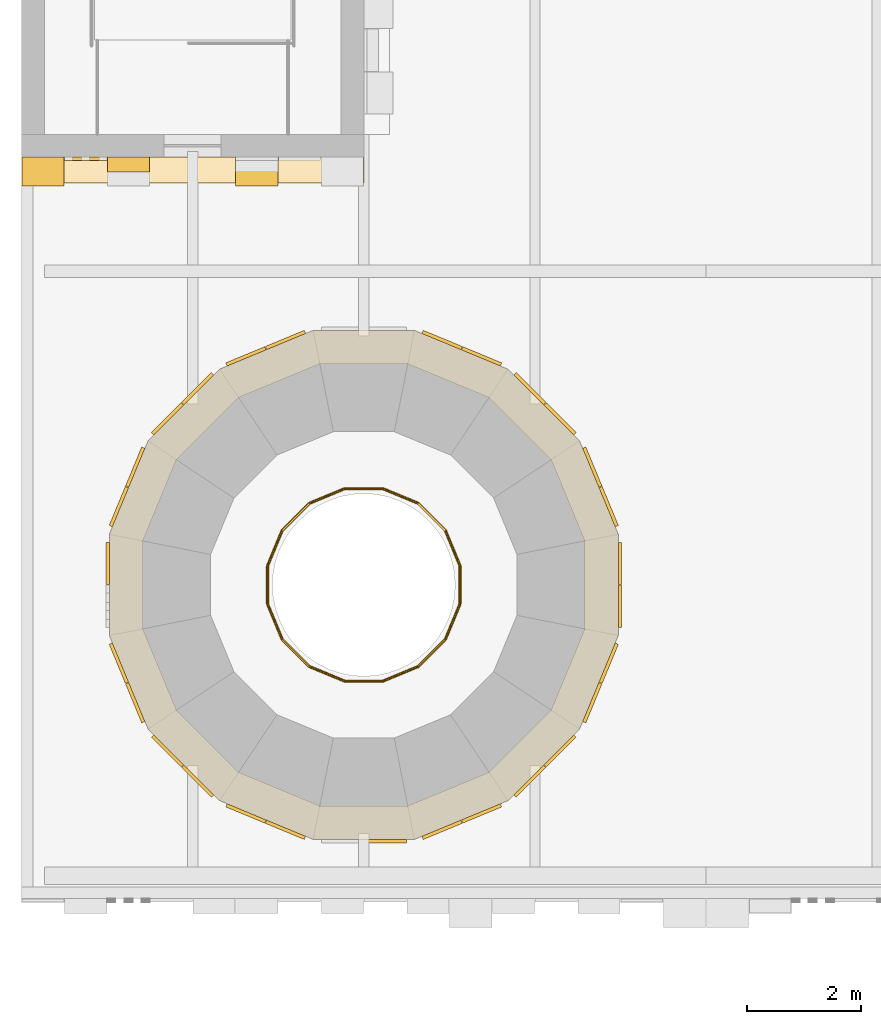
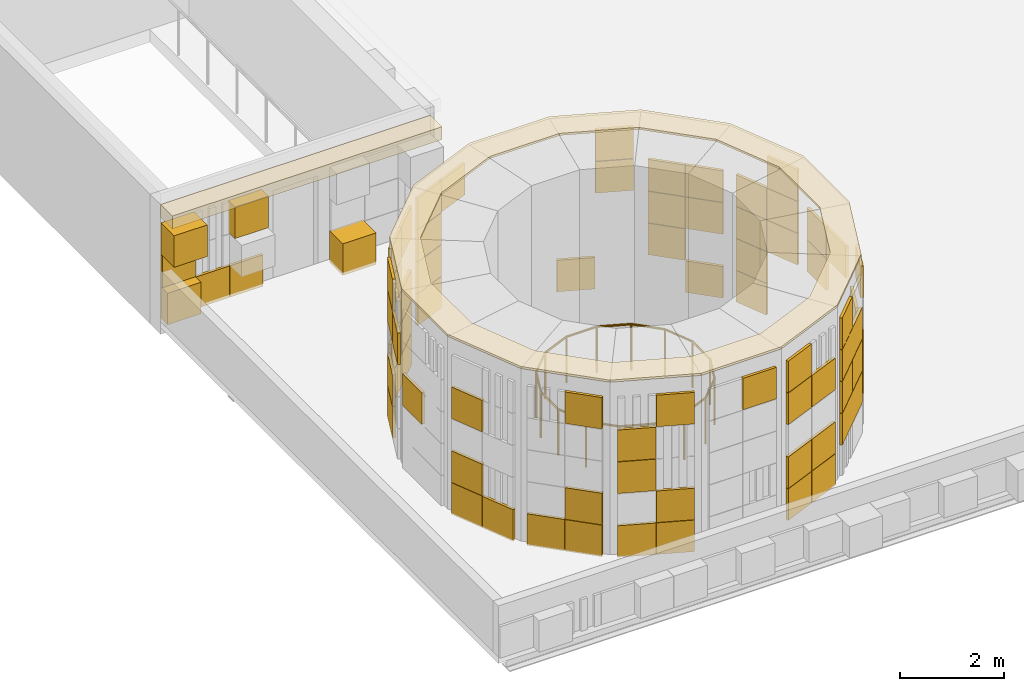
# One storey, part 67 of 98: 8 coverings, 1 railing.
"""IFC4 building model written with IfcOpenShell, lengths in metres."""

from ifc_helpers import new_model, si_unit, direction, frame, origin, origin_2d, place, context, subcontext, project, spatial, polyline, rectangle, circle, outline, extrude, material, layer, layer_set, type_object, element, save


model = new_model("IFC4")

# Units and contexts
model_context = context("Model", 3, precision=1e-05, world=origin(), true_north=direction((0.0, 1.0)))
body_context = subcontext(model_context, "Body", "Model", "MODEL_VIEW")
ifc_project = project(units=[si_unit("LENGTHUNIT", "METRE"), si_unit("AREAUNIT", "SQUARE_METRE"), si_unit("VOLUMEUNIT", "CUBIC_METRE"), si_unit("PLANEANGLEUNIT", "RADIAN"), si_unit("MASSUNIT", "GRAM", prefix="KILO")], contexts=[model_context])

# Site, building, storey
site_placement = place(None, origin())
site = spatial("IfcSite", under=ifc_project, at=site_placement, CompositionType="ELEMENT")
building_placement = place(site_placement, origin())
building = spatial("IfcBuilding", under=site, at=building_placement, Name="Sun Court Science Centre", CompositionType="ELEMENT")
storey_placement = place(building_placement, frame((0.0, 0.0, 15.75)))
storey = spatial("IfcBuildingStorey", under=building, at=storey_placement, Name="L03", CompositionType="ELEMENT", Elevation=15.75)

# Railing
ifc_material_1 = material(Name="Steel S275", Category="steel")
railing_type = type_object("IfcRailingType", Name="Guard 1100 well balustrade", PredefinedType="GUARDRAIL", material=ifc_material_1)
railing_placement = place(storey_placement, frame((7.68701171875, 11.83544921875, 0.110107421875)))
element("IfcRailing", 1, at=railing_placement, inside=storey, type_object=railing_type, Name="C1 well guard L03", PredefinedType="GUARDRAIL", context=body_context, shape_type="SweptSolid", body=[
    extrude(circle(Radius=0.02392578125, at=origin_2d()), frame((0.0, 0.0, 1.076171875), z_axis=(-0.382651625058, 0.923892706888, 0.0), x_axis=(-0.923892706888, -0.382651625058, 0.0)), (0.0, 0.0, 1.0), 0.671142578125),
    extrude(circle(Radius=0.02392578125, at=origin_2d()), frame((-0.2568359375, 0.6201171875, 1.076171875), z_axis=(-0.707106781187, 0.707106781187, 0.0), x_axis=(-0.707106781187, -0.707106781187, 0.0)), (0.0, 0.0, 1.0), 0.671142578125),
    extrude(circle(Radius=0.02392578125, at=origin_2d()), frame((-0.7314453125, 1.0947265625, 1.076171875), z_axis=(-0.923892706888, 0.382651625058, 0.0), x_axis=(-0.382651625058, -0.923892706888, 0.0)), (0.0, 0.0, 1.0), 0.671142578125),
    extrude(circle(Radius=0.02392578125, at=origin_2d()), frame((-1.3515625, 1.3515625, 1.076171875), z_axis=(-1.0, 0.0, 0.0), x_axis=(0.0, -1.0, 0.0)), (0.0, 0.0, 1.0), 0.6708984375),
    extrude(circle(Radius=0.02392578125, at=origin_2d()), frame((-2.0224609375, 1.3515625, 1.076171875), z_axis=(-0.923892706888, -0.382651625058, 0.0), x_axis=(0.382651625058, -0.923892706888, 0.0)), (0.0, 0.0, 1.0), 0.671142578125),
    extrude(circle(Radius=0.02392578125, at=origin_2d()), frame((-2.642578125, 1.0947265625, 1.076171875), z_axis=(-0.707106781187, -0.707106781187, 0.0), x_axis=(0.707106781187, -0.707106781187, 0.0)), (0.0, 0.0, 1.0), 0.671142578125),
    extrude(circle(Radius=0.02392578125, at=origin_2d()), frame((-3.1171875, 0.6201171875, 1.076171875), z_axis=(-0.382651625058, -0.923892706888, 0.0), x_axis=(0.923892706888, -0.382651625058, 0.0)), (0.0, 0.0, 1.0), 0.671142578125),
    extrude(circle(Radius=0.02392578125, at=origin_2d()), frame((-3.3740234375, 0.0, 1.076171875), z_axis=(0.0, -1.0, 0.0), x_axis=(1.0, 0.0, 0.0)), (0.0, 0.0, 1.0), 0.6708984375),
    extrude(circle(Radius=0.02392578125, at=origin_2d()), frame((-3.3740234375, -0.6708984375, 1.076171875), z_axis=(0.382651625058, -0.923892706888, 0.0), x_axis=(0.923892706888, 0.382651625058, 0.0)), (0.0, 0.0, 1.0), 0.671142578125),
    extrude(circle(Radius=0.02392578125, at=origin_2d()), frame((-3.1171875, -1.291015625, 1.076171875), z_axis=(0.707106781187, -0.707106781187, 0.0), x_axis=(0.707106781187, 0.707106781187, 0.0)), (0.0, 0.0, 1.0), 0.671142578125),
    extrude(circle(Radius=0.02392578125, at=origin_2d()), frame((-2.642578125, -1.765625, 1.076171875), z_axis=(0.923892706888, -0.382651625058, 0.0), x_axis=(0.382651625058, 0.923892706888, 0.0)), (0.0, 0.0, 1.0), 0.671142578125),
    extrude(circle(Radius=0.02392578125, at=origin_2d()), frame((-2.0224609375, -2.0224609375, 1.076171875), z_axis=(1.0, 0.0, 0.0), x_axis=(0.0, 1.0, 0.0)), (0.0, 0.0, 1.0), 0.6708984375),
    extrude(circle(Radius=0.02392578125, at=origin_2d()), frame((-1.3515625, -2.0224609375, 1.076171875), z_axis=(0.923892706888, 0.382651625058, 0.0), x_axis=(-0.382651625058, 0.923892706888, 0.0)), (0.0, 0.0, 1.0), 0.671142578125),
    extrude(circle(Radius=0.02392578125, at=origin_2d()), frame((-0.7314453125, -1.765625, 1.076171875), z_axis=(0.707106781187, 0.707106781187, 0.0), x_axis=(-0.707106781187, 0.707106781187, 0.0)), (0.0, 0.0, 1.0), 0.671142578125),
    extrude(circle(Radius=0.02392578125, at=origin_2d()), frame((-0.2568359375, -1.291015625, 1.076171875), z_axis=(0.382651625058, 0.923892706888, 0.0), x_axis=(-0.923892706888, 0.382651625058, 0.0)), (0.0, 0.0, 1.0), 0.671142578125),
    extrude(circle(Radius=0.02392578125, at=origin_2d()), frame((0.0, -0.6708984375, 1.076171875), z_axis=(0.0, 1.0, 0.0), x_axis=(-1.0, 0.0, 0.0)), (0.0, 0.0, 1.0), 0.6708984375),
    extrude(circle(Radius=0.02099609375, at=origin_2d()), origin(), (0.0, 0.0, 1.0), 1.052001953125),
    extrude(circle(Radius=0.02099609375, at=origin_2d()), frame((-0.2568359375, 0.6201171875, 0.0)), (0.0, 0.0, 1.0), 1.052001953125),
    extrude(circle(Radius=0.02099609375, at=origin_2d()), frame((-0.7314453125, 1.0947265625, 0.0)), (0.0, 0.0, 1.0), 1.052001953125),
    extrude(circle(Radius=0.02099609375, at=origin_2d()), frame((-1.3515625, 1.3515625, 0.0)), (0.0, 0.0, 1.0), 1.052001953125),
    extrude(circle(Radius=0.02099609375, at=origin_2d()), frame((-2.0224609375, 1.3515625, 0.0)), (0.0, 0.0, 1.0), 1.052001953125),
    extrude(circle(Radius=0.02099609375, at=origin_2d()), frame((-2.642578125, 1.0947265625, 0.0)), (0.0, 0.0, 1.0), 1.052001953125),
    extrude(circle(Radius=0.02099609375, at=origin_2d()), frame((-3.1171875, 0.6201171875, 0.0)), (0.0, 0.0, 1.0), 1.052001953125),
    extrude(circle(Radius=0.02099609375, at=origin_2d()), frame((-3.3740234375, 0.0, 0.0)), (0.0, 0.0, 1.0), 1.052001953125),
    extrude(circle(Radius=0.02099609375, at=origin_2d()), frame((-3.3740234375, -0.6708984375, 0.0)), (0.0, 0.0, 1.0), 1.052001953125),
    extrude(circle(Radius=0.02099609375, at=origin_2d()), frame((-3.1171875, -1.291015625, 0.0)), (0.0, 0.0, 1.0), 1.052001953125),
    extrude(circle(Radius=0.02099609375, at=origin_2d()), frame((-2.642578125, -1.765625, 0.0)), (0.0, 0.0, 1.0), 1.052001953125),
    extrude(circle(Radius=0.02099609375, at=origin_2d()), frame((-2.0224609375, -2.0224609375, 0.0)), (0.0, 0.0, 1.0), 1.052001953125),
    extrude(circle(Radius=0.02099609375, at=origin_2d()), frame((-1.3515625, -2.0224609375, 0.0)), (0.0, 0.0, 1.0), 1.052001953125),
    extrude(circle(Radius=0.02099609375, at=origin_2d()), frame((-0.7314453125, -1.765625, 0.0)), (0.0, 0.0, 1.0), 1.052001953125),
    extrude(circle(Radius=0.02099609375, at=origin_2d()), frame((-0.2568359375, -1.291015625, 0.0)), (0.0, 0.0, 1.0), 1.052001953125),
    extrude(circle(Radius=0.02099609375, at=origin_2d()), frame((0.0, -0.6708984375, 0.0)), (0.0, 0.0, 1.0), 1.052001953125),
])

# Coverings
ifc_material_2 = material(Name="Red sandstone", Category="masonry")
ifc_layer_1 = layer(ifc_material_2, 0.050048828125)
ifc_layer_set_1 = layer_set([ifc_layer_1], Name="Red sandstone")
covering_type_1 = type_object("IfcCoveringType", Name="Red sandstone coping 50", PredefinedType="CLADDING", material=ifc_layer_set_1)
covering_1_placement = place(storey_placement, frame((0.0, 0.0, 4.199951171875)))
element("IfcCovering", 2, at=covering_1_placement, inside=storey, type_object=covering_type_1, Name="Sandstone coping of drum ledge cone 1 4", PredefinedType="CLADDING", context=body_context, shape_type="SweptSolid", body=[
    extrude(outline(polyline([(10.462646484375, 12.3876953125), (9.783203125, 14.02783203125), (8.52783203125, 15.283203125), (6.8876953125, 15.962646484375), (5.1123046875, 15.962646484375), (3.47216796875, 15.283203125), (2.216796875, 14.02783203125), (1.537353515625, 12.3876953125), (1.537353515625, 10.6123046875), (2.216796875, 8.97216796875), (3.47216796875, 7.716796875), (5.1123046875, 7.037353515625), (6.8876953125, 7.037353515625), (8.52783203125, 7.716796875), (9.783203125, 8.97216796875), (10.462646484375, 10.6123046875), (10.462646484375, 12.3876953125)]), holes=[polyline([(9.8740234375, 12.2705078125), (9.284423828125, 13.694580078125), (8.194580078125, 14.784423828125), (6.7705078125, 15.3740234375), (5.2294921875, 15.3740234375), (3.805419921875, 14.784423828125), (2.715576171875, 13.694580078125), (2.1259765625, 12.2705078125), (2.1259765625, 10.7294921875), (2.715576171875, 9.305419921875), (3.805419921875, 8.215576171875), (5.2294921875, 7.6259765625), (6.7705078125, 7.6259765625), (8.194580078125, 8.215576171875), (9.284423828125, 9.305419921875), (9.8740234375, 10.7294921875), (9.8740234375, 12.2705078125)])]), origin(), (0.0, 0.0, 1.0), 0.050048828125),
])
ifc_material_3 = material(Name="Terracotta panel", Category="masonry")
ifc_layer_2 = layer(ifc_material_3, 0.449951171875)
ifc_layer_set_2 = layer_set([ifc_layer_2], Name="Terracotta panel")
covering_type_2 = type_object("IfcCoveringType", Name="Terracotta cornice 450", PredefinedType="CLADDING", material=ifc_layer_set_2)
covering_2_placement = place(storey_placement, frame((0.0, 0.0, -15.75)))
element("IfcCovering", 3, at=covering_2_placement, inside=storey, type_object=covering_type_2, Name="Terracotta cornice south face of core L03", PredefinedType="CLADDING", context=body_context, shape_type="SweptSolid", body=[
    extrude(rectangle(XDim=6.0, YDim=0.449951171875, at=origin_2d()), frame((3.0, 18.77490234375, 18.2001953125), z_axis=(0.0, 0.0, 1.0), x_axis=(-1.0, 0.0, 0.0)), (0.0, 0.0, 1.0), 0.300048828125),
])
ifc_material_4 = material(Name="Terracotta shade 1", Category="masonry")
ifc_layer_3 = layer(ifc_material_4, 0.06005859375)
ifc_layer_set_3 = layer_set([ifc_layer_3], Name="Terracotta shade 1")
covering_type_3 = type_object("IfcCoveringType", Name="Terracotta pixel panel shade 1", PredefinedType="CLADDING", material=ifc_layer_set_3)
covering_3_placement = place(storey_placement, frame((0.0, 0.0, -15.75)))
element("IfcCovering", 4, at=covering_3_placement, inside=storey, type_object=covering_type_3, Name="Terracotta pixel cladding shade 1 south face of core L03", PredefinedType="CLADDING", context=body_context, shape_type="SweptSolid", body=[
    extrude(rectangle(XDim=0.739990234375, YDim=0.510009765625, at=origin_2d()), frame((4.125, 18.7451171875, 15.830078125), z_axis=(0.0, 0.0, 1.0), x_axis=(-1.0, 0.0, 0.0)), (0.0, 0.0, 1.0), 0.739990234375),
    extrude(rectangle(XDim=0.739990234375, YDim=0.06005859375, at=origin_2d()), frame((1.875, 18.969970703125, 15.830078125), z_axis=(0.0, 0.0, 1.0), x_axis=(-1.0, 0.0, 0.0)), (0.0, 0.0, 1.0), 0.739990234375),
    extrude(rectangle(XDim=0.739990234375, YDim=0.06005859375, at=origin_2d()), frame((1.125, 18.969970703125, 15.830078125), z_axis=(0.0, 0.0, 1.0), x_axis=(-1.0, 0.0, 0.0)), (0.0, 0.0, 1.0), 0.739990234375),
    extrude(rectangle(XDim=0.739990234375, YDim=0.06005859375, at=origin_2d()), frame((0.375, 18.969970703125, 16.580078125), z_axis=(0.0, 0.0, 1.0), x_axis=(-1.0, 0.0, 0.0)), (0.0, 0.0, 1.0), 0.739990234375),
    extrude(rectangle(XDim=0.739990234375, YDim=0.510009765625, at=origin_2d()), frame((0.375, 18.7451171875, 17.330078125), z_axis=(0.0, 0.0, 1.0), x_axis=(-1.0, 0.0, 0.0)), (0.0, 0.0, 1.0), 0.739990234375),
    extrude(rectangle(XDim=0.739990234375, YDim=0.260009765625, at=origin_2d()), frame((0.375, 18.8701171875, 15.830078125), z_axis=(0.0, 0.0, 1.0), x_axis=(-1.0, 0.0, 0.0)), (0.0, 0.0, 1.0), 0.739990234375),
])
ifc_material_5 = material(Name="Terracotta shade 2", Category="masonry")
ifc_layer_4 = layer(ifc_material_5, 0.06005859375)
ifc_layer_set_4 = layer_set([ifc_layer_4], Name="Terracotta shade 2")
covering_type_4 = type_object("IfcCoveringType", Name="Terracotta pixel panel shade 2", PredefinedType="CLADDING", material=ifc_layer_set_4)
covering_4_placement = place(storey_placement, frame((0.0, 0.0, -15.75)))
element("IfcCovering", 5, at=covering_4_placement, inside=storey, type_object=covering_type_4, Name="Terracotta pixel cladding shade 2 cone 1 L03", PredefinedType="CLADDING", context=body_context, shape_type="SweptSolid", body=[
    extrude(rectangle(XDim=0.739990234375, YDim=0.06005859375, at=origin_2d()), frame((10.007080078125, 13.565673828125, 17.365234375), z_axis=(0.0, 0.0, 1.0), x_axis=(0.382683432365, -0.923879532511, 0.0)), (0.0, 0.0, 1.0), 0.739990234375),
    extrude(rectangle(XDim=0.739990234375, YDim=0.06005859375, at=origin_2d()), frame((10.007080078125, 13.565673828125, 18.115234375), z_axis=(0.0, 0.0, 1.0), x_axis=(0.382683432365, -0.923879532511, 0.0)), (0.0, 0.0, 1.0), 0.739990234375),
    extrude(rectangle(XDim=0.739990234375, YDim=0.06005859375, at=origin_2d()), frame((9.44189453125, 14.41162109375, 15.865234375), z_axis=(0.0, 0.0, 1.0), x_axis=(0.707106781187, -0.707106781187, 0.0)), (0.0, 0.0, 1.0), 0.739990234375),
    extrude(rectangle(XDim=0.739990234375, YDim=0.06005859375, at=origin_2d()), frame((8.91162109375, 14.94189453125, 16.615234375), z_axis=(0.0, 0.0, 1.0), x_axis=(0.707106781187, -0.707106781187, 0.0)), (0.0, 0.0, 1.0), 0.739990234375),
    extrude(rectangle(XDim=0.739990234375, YDim=0.06005859375, at=origin_2d()), frame((8.91162109375, 14.94189453125, 18.115234375), z_axis=(0.0, 0.0, 1.0), x_axis=(0.707106781187, -0.707106781187, 0.0)), (0.0, 0.0, 1.0), 0.739990234375),
    extrude(rectangle(XDim=0.739990234375, YDim=0.06005859375, at=origin_2d()), frame((7.372802734375, 15.794189453125, 15.865234375), z_axis=(0.0, 0.0, 1.0), x_axis=(0.923879532511, -0.382683432365, 0.0)), (0.0, 0.0, 1.0), 0.739990234375),
    extrude(rectangle(XDim=0.739990234375, YDim=0.06005859375, at=origin_2d()), frame((8.065673828125, 15.507080078125, 18.865234375), z_axis=(0.0, 0.0, 1.0), x_axis=(0.923879532511, -0.382683432365, 0.0)), (0.0, 0.0, 1.0), 0.739990234375),
    extrude(rectangle(XDim=0.739990234375, YDim=0.06005859375, at=origin_2d()), frame((3.934326171875, 15.507080078125, 16.615234375), z_axis=(0.0, 0.0, 1.0), x_axis=(0.923879532511, 0.382683432365, 0.0)), (0.0, 0.0, 1.0), 0.739990234375),
    extrude(rectangle(XDim=0.739990234375, YDim=0.06005859375, at=origin_2d()), frame((3.934326171875, 15.507080078125, 18.115234375), z_axis=(0.0, 0.0, 1.0), x_axis=(0.923879532511, 0.382683432365, 0.0)), (0.0, 0.0, 1.0), 0.739990234375),
    extrude(rectangle(XDim=0.739990234375, YDim=0.06005859375, at=origin_2d()), frame((3.934326171875, 15.507080078125, 18.865234375), z_axis=(0.0, 0.0, 1.0), x_axis=(0.923879532511, 0.382683432365, 0.0)), (0.0, 0.0, 1.0), 0.739990234375),
    extrude(rectangle(XDim=0.739990234375, YDim=0.06005859375, at=origin_2d()), frame((3.08837890625, 14.94189453125, 16.615234375), z_axis=(0.0, 0.0, 1.0), x_axis=(0.707106781187, 0.707106781187, 0.0)), (0.0, 0.0, 1.0), 0.739990234375),
    extrude(rectangle(XDim=0.739990234375, YDim=0.06005859375, at=origin_2d()), frame((2.55810546875, 14.41162109375, 18.115234375), z_axis=(0.0, 0.0, 1.0), x_axis=(0.707106781187, 0.707106781187, 0.0)), (0.0, 0.0, 1.0), 0.739990234375),
    extrude(rectangle(XDim=0.739990234375, YDim=0.06005859375, at=origin_2d()), frame((2.55810546875, 14.41162109375, 18.865234375), z_axis=(0.0, 0.0, 1.0), x_axis=(0.707106781187, 0.707106781187, 0.0)), (0.0, 0.0, 1.0), 0.739990234375),
    extrude(rectangle(XDim=0.739990234375, YDim=0.06005859375, at=origin_2d()), frame((1.992919921875, 13.565673828125, 16.615234375), z_axis=(0.0, 0.0, 1.0), x_axis=(0.382683432365, 0.923879532511, 0.0)), (0.0, 0.0, 1.0), 0.739990234375),
    extrude(rectangle(XDim=0.739990234375, YDim=0.06005859375, at=origin_2d()), frame((1.705810546875, 12.872802734375, 18.115234375), z_axis=(0.0, 0.0, 1.0), x_axis=(0.382683432365, 0.923879532511, 0.0)), (0.0, 0.0, 1.0), 0.739990234375),
    extrude(rectangle(XDim=0.739990234375, YDim=0.06005859375, at=origin_2d()), frame((1.992919921875, 13.565673828125, 18.865234375), z_axis=(0.0, 0.0, 1.0), x_axis=(0.382683432365, 0.923879532511, 0.0)), (0.0, 0.0, 1.0), 0.739990234375),
    extrude(rectangle(XDim=0.739990234375, YDim=0.06005859375, at=origin_2d()), frame((1.992919921875, 9.434326171875, 15.865234375), z_axis=(0.0, 0.0, 1.0), x_axis=(-0.382683432365, 0.923879532511, 0.0)), (0.0, 0.0, 1.0), 0.739990234375),
    extrude(rectangle(XDim=0.739990234375, YDim=0.06005859375, at=origin_2d()), frame((1.705810546875, 10.127197265625, 16.615234375), z_axis=(0.0, 0.0, 1.0), x_axis=(-0.382683432365, 0.923879532511, 0.0)), (0.0, 0.0, 1.0), 0.739990234375),
    extrude(rectangle(XDim=0.739990234375, YDim=0.06005859375, at=origin_2d()), frame((1.705810546875, 10.127197265625, 18.115234375), z_axis=(0.0, 0.0, 1.0), x_axis=(-0.382683432365, 0.923879532511, 0.0)), (0.0, 0.0, 1.0), 0.739990234375),
    extrude(rectangle(XDim=0.739990234375, YDim=0.06005859375, at=origin_2d()), frame((4.627197265625, 7.205810546875, 15.865234375), z_axis=(0.0, 0.0, 1.0), x_axis=(-0.923879532511, 0.382683432365, 0.0)), (0.0, 0.0, 1.0), 0.739990234375),
    extrude(rectangle(XDim=0.739990234375, YDim=0.06005859375, at=origin_2d()), frame((3.934326171875, 7.492919921875, 15.865234375), z_axis=(0.0, 0.0, 1.0), x_axis=(-0.923879532511, 0.382683432365, 0.0)), (0.0, 0.0, 1.0), 0.739990234375),
    extrude(rectangle(XDim=0.739990234375, YDim=0.06005859375, at=origin_2d()), frame((3.934326171875, 7.492919921875, 17.365234375), z_axis=(0.0, 0.0, 1.0), x_axis=(-0.923879532511, 0.382683432365, 0.0)), (0.0, 0.0, 1.0), 0.739990234375),
    extrude(rectangle(XDim=0.739990234375, YDim=0.06005859375, at=origin_2d()), frame((7.372802734375, 7.205810546875, 16.615234375), z_axis=(0.0, 0.0, 1.0), x_axis=(-0.923879532511, -0.382683432365, 0.0)), (0.0, 0.0, 1.0), 0.739990234375),
    extrude(rectangle(XDim=0.739990234375, YDim=0.06005859375, at=origin_2d()), frame((8.065673828125, 7.492919921875, 18.115234375), z_axis=(0.0, 0.0, 1.0), x_axis=(-0.923879532511, -0.382683432365, 0.0)), (0.0, 0.0, 1.0), 0.739990234375),
    extrude(rectangle(XDim=0.739990234375, YDim=0.06005859375, at=origin_2d()), frame((9.44189453125, 8.58837890625, 16.615234375), z_axis=(0.0, 0.0, 1.0), x_axis=(-0.707106781187, -0.707106781187, 0.0)), (0.0, 0.0, 1.0), 0.739990234375),
    extrude(rectangle(XDim=0.739990234375, YDim=0.06005859375, at=origin_2d()), frame((8.91162109375, 8.05810546875, 16.615234375), z_axis=(0.0, 0.0, 1.0), x_axis=(-0.707106781187, -0.707106781187, 0.0)), (0.0, 0.0, 1.0), 0.739990234375),
    extrude(rectangle(XDim=0.739990234375, YDim=0.06005859375, at=origin_2d()), frame((9.44189453125, 8.58837890625, 18.115234375), z_axis=(0.0, 0.0, 1.0), x_axis=(-0.707106781187, -0.707106781187, 0.0)), (0.0, 0.0, 1.0), 0.739990234375),
    extrude(rectangle(XDim=0.739990234375, YDim=0.06005859375, at=origin_2d()), frame((8.91162109375, 8.05810546875, 18.115234375), z_axis=(0.0, 0.0, 1.0), x_axis=(-0.707106781187, -0.707106781187, 0.0)), (0.0, 0.0, 1.0), 0.739990234375),
    extrude(rectangle(XDim=0.739990234375, YDim=0.06005859375, at=origin_2d()), frame((8.91162109375, 8.05810546875, 18.865234375), z_axis=(0.0, 0.0, 1.0), x_axis=(-0.707106781187, -0.707106781187, 0.0)), (0.0, 0.0, 1.0), 0.739990234375),
    extrude(rectangle(XDim=0.739990234375, YDim=0.06005859375, at=origin_2d()), frame((10.007080078125, 9.434326171875, 18.865234375), z_axis=(0.0, 0.0, 1.0), x_axis=(-0.382683432365, -0.923879532511, 0.0)), (0.0, 0.0, 1.0), 0.739990234375),
    extrude(rectangle(XDim=0.739990234375, YDim=0.06005859375, at=origin_2d()), frame((1.705810546875, 10.127197265625, 15.865234375), z_axis=(0.0, 0.0, 1.0), x_axis=(-0.382683432365, 0.923879532511, 0.0)), (0.0, 0.0, 1.0), 0.739990234375),
])
ifc_material_6 = material(Name="Terracotta shade 3", Category="masonry")
ifc_layer_5 = layer(ifc_material_6, 0.06005859375)
ifc_layer_set_5 = layer_set([ifc_layer_5], Name="Terracotta shade 3")
covering_type_5 = type_object("IfcCoveringType", Name="Terracotta pixel panel shade 3", PredefinedType="CLADDING", material=ifc_layer_set_5)
covering_5_placement = place(storey_placement, frame((0.0, 0.0, -15.75)))
element("IfcCovering", 6, at=covering_5_placement, inside=storey, type_object=covering_type_5, Name="Terracotta pixel cladding shade 3 cone 1 L03", PredefinedType="CLADDING", context=body_context, shape_type="SweptSolid", body=[
    extrude(rectangle(XDim=0.739990234375, YDim=0.06005859375, at=origin_2d()), frame((10.294189453125, 12.872802734375, 18.115234375), z_axis=(0.0, 0.0, 1.0), x_axis=(0.382683432365, -0.923879532511, 0.0)), (0.0, 0.0, 1.0), 0.739990234375),
    extrude(rectangle(XDim=0.739990234375, YDim=0.06005859375, at=origin_2d()), frame((10.294189453125, 12.872802734375, 18.865234375), z_axis=(0.0, 0.0, 1.0), x_axis=(0.382683432365, -0.923879532511, 0.0)), (0.0, 0.0, 1.0), 0.739990234375),
    extrude(rectangle(XDim=0.739990234375, YDim=0.06005859375, at=origin_2d()), frame((9.44189453125, 14.41162109375, 17.365234375), z_axis=(0.0, 0.0, 1.0), x_axis=(0.707106781187, -0.707106781187, 0.0)), (0.0, 0.0, 1.0), 0.739990234375),
    extrude(rectangle(XDim=0.739990234375, YDim=0.06005859375, at=origin_2d()), frame((9.44189453125, 14.41162109375, 18.115234375), z_axis=(0.0, 0.0, 1.0), x_axis=(0.707106781187, -0.707106781187, 0.0)), (0.0, 0.0, 1.0), 0.739990234375),
    extrude(rectangle(XDim=0.739990234375, YDim=0.06005859375, at=origin_2d()), frame((3.08837890625, 14.94189453125, 17.365234375), z_axis=(0.0, 0.0, 1.0), x_axis=(0.707106781187, 0.707106781187, 0.0)), (0.0, 0.0, 1.0), 0.739990234375),
    extrude(rectangle(XDim=0.739990234375, YDim=0.06005859375, at=origin_2d()), frame((1.992919921875, 13.565673828125, 18.115234375), z_axis=(0.0, 0.0, 1.0), x_axis=(0.382683432365, 0.923879532511, 0.0)), (0.0, 0.0, 1.0), 0.739990234375),
    extrude(rectangle(XDim=0.739990234375, YDim=0.06005859375, at=origin_2d()), frame((3.08837890625, 8.05810546875, 15.865234375), z_axis=(0.0, 0.0, 1.0), x_axis=(-0.707106781187, 0.707106781187, 0.0)), (0.0, 0.0, 1.0), 0.739990234375),
    extrude(rectangle(XDim=0.739990234375, YDim=0.06005859375, at=origin_2d()), frame((3.08837890625, 8.05810546875, 18.865234375), z_axis=(0.0, 0.0, 1.0), x_axis=(-0.707106781187, 0.707106781187, 0.0)), (0.0, 0.0, 1.0), 0.739990234375),
    extrude(rectangle(XDim=0.739990234375, YDim=0.06005859375, at=origin_2d()), frame((8.065673828125, 7.492919921875, 15.865234375), z_axis=(0.0, 0.0, 1.0), x_axis=(-0.923879532511, -0.382683432365, 0.0)), (0.0, 0.0, 1.0), 0.739990234375),
    extrude(rectangle(XDim=0.739990234375, YDim=0.06005859375, at=origin_2d()), frame((7.372802734375, 7.205810546875, 18.115234375), z_axis=(0.0, 0.0, 1.0), x_axis=(-0.923879532511, -0.382683432365, 0.0)), (0.0, 0.0, 1.0), 0.739990234375),
    extrude(rectangle(XDim=0.739990234375, YDim=0.06005859375, at=origin_2d()), frame((10.007080078125, 9.434326171875, 16.615234375), z_axis=(0.0, 0.0, 1.0), x_axis=(-0.382683432365, -0.923879532511, 0.0)), (0.0, 0.0, 1.0), 0.739990234375),
    extrude(rectangle(XDim=0.739990234375, YDim=0.06005859375, at=origin_2d()), frame((10.49267578125, 11.875, 18.115234375), z_axis=(0.0, 0.0, 1.0), x_axis=(0.0, -1.0, 0.0)), (0.0, 0.0, 1.0), 0.739990234375),
    extrude(rectangle(XDim=0.739990234375, YDim=0.06005859375, at=origin_2d()), frame((10.49267578125, 11.125, 18.115234375), z_axis=(0.0, 0.0, 1.0), x_axis=(0.0, -1.0, 0.0)), (0.0, 0.0, 1.0), 0.739990234375),
])
covering_6_placement = place(storey_placement, frame((0.0, 0.0, -15.75)))
element("IfcCovering", 7, at=covering_6_placement, inside=storey, type_object=covering_type_5, Name="Terracotta pixel cladding shade 3 south face of core L03", PredefinedType="CLADDING", context=body_context, shape_type="SweptSolid", body=[
    extrude(rectangle(XDim=0.739990234375, YDim=0.260009765625, at=origin_2d()), frame((1.875, 18.8701171875, 17.330078125), z_axis=(0.0, 0.0, 1.0), x_axis=(-1.0, 0.0, 0.0)), (0.0, 0.0, 1.0), 0.739990234375),
])
ifc_material_7 = material(Name="Terracotta shade 4", Category="masonry")
ifc_layer_6 = layer(ifc_material_7, 0.06005859375)
ifc_layer_set_6 = layer_set([ifc_layer_6], Name="Terracotta shade 4")
covering_type_6 = type_object("IfcCoveringType", Name="Terracotta pixel panel shade 4", PredefinedType="CLADDING", material=ifc_layer_set_6)
covering_7_placement = place(storey_placement, frame((0.0, 0.0, -15.75)))
element("IfcCovering", 8, at=covering_7_placement, inside=storey, type_object=covering_type_6, Name="Terracotta pixel cladding shade 4 cone 1 L03", PredefinedType="CLADDING", context=body_context, shape_type="SweptSolid", body=[
    extrude(rectangle(XDim=0.739990234375, YDim=0.06005859375, at=origin_2d()), frame((10.007080078125, 13.565673828125, 16.615234375), z_axis=(0.0, 0.0, 1.0), x_axis=(0.382683432365, -0.923879532511, 0.0)), (0.0, 0.0, 1.0), 0.739990234375),
    extrude(rectangle(XDim=0.739990234375, YDim=0.06005859375, at=origin_2d()), frame((8.91162109375, 14.94189453125, 17.365234375), z_axis=(0.0, 0.0, 1.0), x_axis=(0.707106781187, -0.707106781187, 0.0)), (0.0, 0.0, 1.0), 0.739990234375),
    extrude(rectangle(XDim=0.739990234375, YDim=0.06005859375, at=origin_2d()), frame((3.934326171875, 15.507080078125, 17.365234375), z_axis=(0.0, 0.0, 1.0), x_axis=(0.923879532511, 0.382683432365, 0.0)), (0.0, 0.0, 1.0), 0.739990234375),
    extrude(rectangle(XDim=0.739990234375, YDim=0.06005859375, at=origin_2d()), frame((1.992919921875, 13.565673828125, 15.865234375), z_axis=(0.0, 0.0, 1.0), x_axis=(0.382683432365, 0.923879532511, 0.0)), (0.0, 0.0, 1.0), 0.739990234375),
    extrude(rectangle(XDim=0.739990234375, YDim=0.06005859375, at=origin_2d()), frame((2.55810546875, 8.58837890625, 15.865234375), z_axis=(0.0, 0.0, 1.0), x_axis=(-0.707106781187, 0.707106781187, 0.0)), (0.0, 0.0, 1.0), 0.739990234375),
    extrude(rectangle(XDim=0.739990234375, YDim=0.06005859375, at=origin_2d()), frame((3.934326171875, 7.492919921875, 18.115234375), z_axis=(0.0, 0.0, 1.0), x_axis=(-0.923879532511, 0.382683432365, 0.0)), (0.0, 0.0, 1.0), 0.739990234375),
    extrude(rectangle(XDim=0.739990234375, YDim=0.06005859375, at=origin_2d()), frame((4.627197265625, 7.205810546875, 18.865234375), z_axis=(0.0, 0.0, 1.0), x_axis=(-0.923879532511, 0.382683432365, 0.0)), (0.0, 0.0, 1.0), 0.739990234375),
    extrude(rectangle(XDim=0.739990234375, YDim=0.06005859375, at=origin_2d()), frame((6.375, 7.00732421875, 18.865234375), z_axis=(0.0, 0.0, 1.0), x_axis=(-1.0, 0.0, 0.0)), (0.0, 0.0, 1.0), 0.739990234375),
    extrude(rectangle(XDim=0.739990234375, YDim=0.06005859375, at=origin_2d()), frame((8.065673828125, 7.492919921875, 16.615234375), z_axis=(0.0, 0.0, 1.0), x_axis=(-0.923879532511, -0.382683432365, 0.0)), (0.0, 0.0, 1.0), 0.739990234375),
    extrude(rectangle(XDim=0.739990234375, YDim=0.06005859375, at=origin_2d()), frame((7.372802734375, 7.205810546875, 18.865234375), z_axis=(0.0, 0.0, 1.0), x_axis=(-0.923879532511, -0.382683432365, 0.0)), (0.0, 0.0, 1.0), 0.739990234375),
    extrude(rectangle(XDim=0.739990234375, YDim=0.06005859375, at=origin_2d()), frame((8.91162109375, 8.05810546875, 17.365234375), z_axis=(0.0, 0.0, 1.0), x_axis=(-0.707106781187, -0.707106781187, 0.0)), (0.0, 0.0, 1.0), 0.739990234375),
    extrude(rectangle(XDim=0.739990234375, YDim=0.06005859375, at=origin_2d()), frame((10.294189453125, 10.127197265625, 15.865234375), z_axis=(0.0, 0.0, 1.0), x_axis=(-0.382683432365, -0.923879532511, 0.0)), (0.0, 0.0, 1.0), 0.739990234375),
    extrude(rectangle(XDim=0.739990234375, YDim=0.06005859375, at=origin_2d()), frame((10.007080078125, 9.434326171875, 17.365234375), z_axis=(0.0, 0.0, 1.0), x_axis=(-0.382683432365, -0.923879532511, 0.0)), (0.0, 0.0, 1.0), 0.739990234375),
    extrude(rectangle(XDim=0.739990234375, YDim=0.06005859375, at=origin_2d()), frame((10.49267578125, 11.875, 17.365234375), z_axis=(0.0, 0.0, 1.0), x_axis=(0.0, -1.0, 0.0)), (0.0, 0.0, 1.0), 0.739990234375),
])
ifc_material_8 = material(Name="Terracotta shade 5", Category="masonry")
ifc_layer_7 = layer(ifc_material_8, 0.06005859375)
ifc_layer_set_7 = layer_set([ifc_layer_7], Name="Terracotta shade 5")
covering_type_7 = type_object("IfcCoveringType", Name="Terracotta pixel panel shade 5", PredefinedType="CLADDING", material=ifc_layer_set_7)
covering_8_placement = place(storey_placement, frame((0.0, 0.0, -15.75)))
element("IfcCovering", 9, at=covering_8_placement, inside=storey, type_object=covering_type_7, Name="Terracotta pixel cladding shade 5 cone 1 L03", PredefinedType="CLADDING", context=body_context, shape_type="SweptSolid", body=[
    extrude(rectangle(XDim=0.739990234375, YDim=0.06005859375, at=origin_2d()), frame((10.007080078125, 13.565673828125, 15.865234375), z_axis=(0.0, 0.0, 1.0), x_axis=(0.382683432365, -0.923879532511, 0.0)), (0.0, 0.0, 1.0), 0.739990234375),
    extrude(rectangle(XDim=0.739990234375, YDim=0.06005859375, at=origin_2d()), frame((10.294189453125, 12.872802734375, 17.365234375), z_axis=(0.0, 0.0, 1.0), x_axis=(0.382683432365, -0.923879532511, 0.0)), (0.0, 0.0, 1.0), 0.739990234375),
    extrude(rectangle(XDim=0.739990234375, YDim=0.06005859375, at=origin_2d()), frame((8.065673828125, 15.507080078125, 18.115234375), z_axis=(0.0, 0.0, 1.0), x_axis=(0.923879532511, -0.382683432365, 0.0)), (0.0, 0.0, 1.0), 0.739990234375),
    extrude(rectangle(XDim=0.739990234375, YDim=0.06005859375, at=origin_2d()), frame((4.627197265625, 15.794189453125, 18.865234375), z_axis=(0.0, 0.0, 1.0), x_axis=(0.923879532511, 0.382683432365, 0.0)), (0.0, 0.0, 1.0), 0.739990234375),
    extrude(rectangle(XDim=0.739990234375, YDim=0.06005859375, at=origin_2d()), frame((2.55810546875, 14.41162109375, 15.865234375), z_axis=(0.0, 0.0, 1.0), x_axis=(0.707106781187, 0.707106781187, 0.0)), (0.0, 0.0, 1.0), 0.739990234375),
    extrude(rectangle(XDim=0.739990234375, YDim=0.06005859375, at=origin_2d()), frame((3.08837890625, 14.94189453125, 15.865234375), z_axis=(0.0, 0.0, 1.0), x_axis=(0.707106781187, 0.707106781187, 0.0)), (0.0, 0.0, 1.0), 0.739990234375),
    extrude(rectangle(XDim=0.739990234375, YDim=0.06005859375, at=origin_2d()), frame((2.55810546875, 14.41162109375, 16.615234375), z_axis=(0.0, 0.0, 1.0), x_axis=(0.707106781187, 0.707106781187, 0.0)), (0.0, 0.0, 1.0), 0.739990234375),
    extrude(rectangle(XDim=0.739990234375, YDim=0.06005859375, at=origin_2d()), frame((3.08837890625, 14.94189453125, 18.865234375), z_axis=(0.0, 0.0, 1.0), x_axis=(0.707106781187, 0.707106781187, 0.0)), (0.0, 0.0, 1.0), 0.739990234375),
    extrude(rectangle(XDim=0.739990234375, YDim=0.06005859375, at=origin_2d()), frame((1.50732421875, 11.875, 17.365234375), z_axis=(0.0, 0.0, 1.0), x_axis=(0.0, 1.0, 0.0)), (0.0, 0.0, 1.0), 0.739990234375),
    extrude(rectangle(XDim=0.739990234375, YDim=0.06005859375, at=origin_2d()), frame((3.08837890625, 8.05810546875, 16.615234375), z_axis=(0.0, 0.0, 1.0), x_axis=(-0.707106781187, 0.707106781187, 0.0)), (0.0, 0.0, 1.0), 0.739990234375),
    extrude(rectangle(XDim=0.739990234375, YDim=0.06005859375, at=origin_2d()), frame((4.627197265625, 7.205810546875, 16.615234375), z_axis=(0.0, 0.0, 1.0), x_axis=(-0.923879532511, 0.382683432365, 0.0)), (0.0, 0.0, 1.0), 0.739990234375),
    extrude(rectangle(XDim=0.739990234375, YDim=0.06005859375, at=origin_2d()), frame((7.372802734375, 7.205810546875, 15.865234375), z_axis=(0.0, 0.0, 1.0), x_axis=(-0.923879532511, -0.382683432365, 0.0)), (0.0, 0.0, 1.0), 0.739990234375),
    extrude(rectangle(XDim=0.739990234375, YDim=0.06005859375, at=origin_2d()), frame((9.44189453125, 8.58837890625, 17.365234375), z_axis=(0.0, 0.0, 1.0), x_axis=(-0.707106781187, -0.707106781187, 0.0)), (0.0, 0.0, 1.0), 0.739990234375),
    extrude(rectangle(XDim=0.739990234375, YDim=0.06005859375, at=origin_2d()), frame((10.294189453125, 10.127197265625, 16.615234375), z_axis=(0.0, 0.0, 1.0), x_axis=(-0.382683432365, -0.923879532511, 0.0)), (0.0, 0.0, 1.0), 0.739990234375),
    extrude(rectangle(XDim=0.739990234375, YDim=0.06005859375, at=origin_2d()), frame((10.294189453125, 10.127197265625, 17.365234375), z_axis=(0.0, 0.0, 1.0), x_axis=(-0.382683432365, -0.923879532511, 0.0)), (0.0, 0.0, 1.0), 0.739990234375),
])

save(model, "model.ifc")
